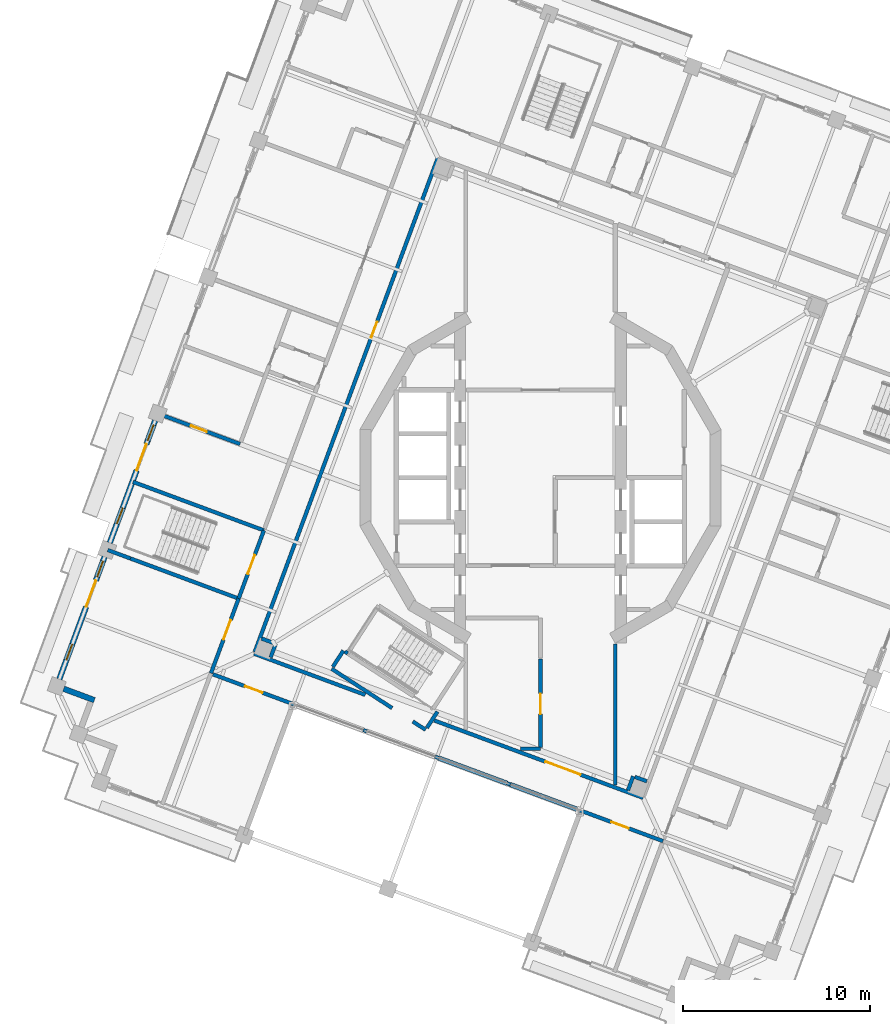
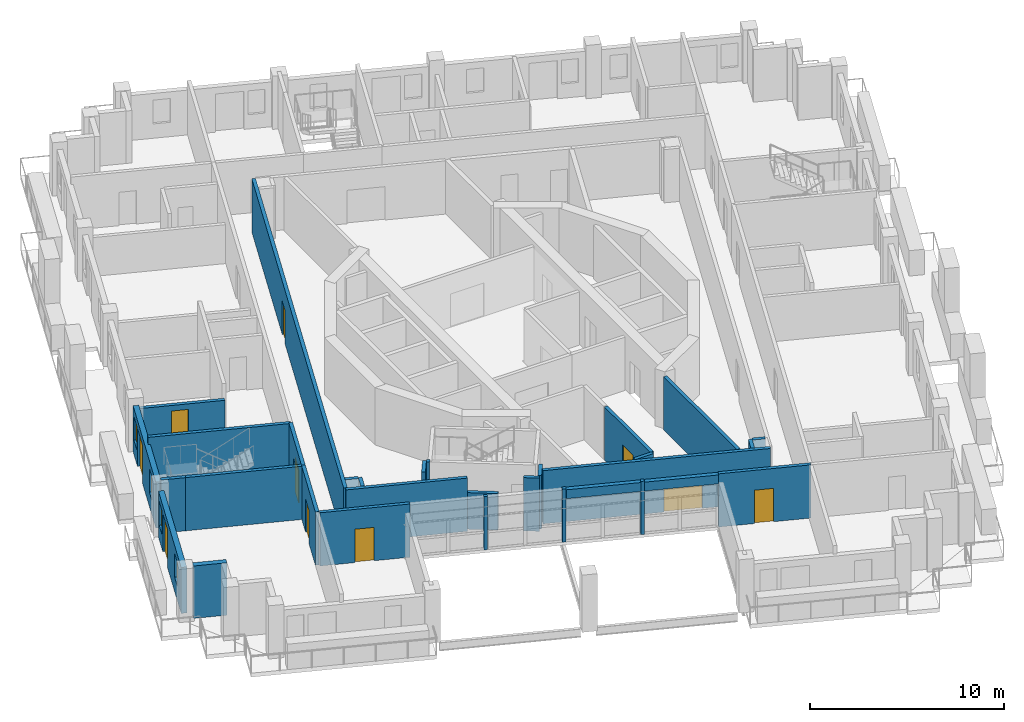
# One storey, part 6 of 19: 31 walls, 10 doors, 4 windows, 14 openings.
"""IFC4 building model written with IfcOpenShell, lengths in metres."""

from ifc_helpers import new_model, si_unit, direction, frame, frame_2d, origin, place, context, subcontext, project, spatial, rectangle, extrude, material, layer, layer_set, type_object, element, fill, save


model = new_model("IFC4")

# Units and contexts
model_context = context("Model", 3, precision=1e-05, world=origin(), true_north=direction((0.0, 1.0)))
body_context = subcontext(model_context, "Body", "Model", "MODEL_VIEW")
ifc_project = project(units=[si_unit("LENGTHUNIT", "METRE"), si_unit("AREAUNIT", "SQUARE_METRE"), si_unit("VOLUMEUNIT", "CUBIC_METRE"), si_unit("PLANEANGLEUNIT", "RADIAN"), si_unit("MASSUNIT", "GRAM", prefix="KILO")], contexts=[model_context])

# Site, building, storey
site_placement = place(None, origin())
site = spatial("IfcSite", under=ifc_project, at=site_placement, CompositionType="ELEMENT")
building_placement = place(site_placement, origin())
building = spatial("IfcBuilding", under=site, at=building_placement, Name="Cantera Rosa Tower", CompositionType="ELEMENT")
storey_placement = place(building_placement, frame((0.0, 0.0, 324.10009765625)))
storey = spatial("IfcBuildingStorey", under=building, at=storey_placement, Name="L72", CompositionType="ELEMENT", Elevation=324.10009765625)

# Wall
ifc_material_1 = material(Name="Gypsum board partition")
ifc_layer_1 = layer(ifc_material_1, 0.199951171875)
ifc_layer_set_1 = layer_set([ifc_layer_1], Name="CORRIDOR WALL 200 H2300")
wall_type_1 = type_object("IfcWallType", Name="CORRIDOR WALL 200 H2300", PredefinedType="PARTITIONING", material=ifc_layer_set_1)
wall_1_placement = place(storey_placement, frame((-11.177490234375, -10.216552734375, 0.0), z_axis=(0.0, 0.0, 1.0), x_axis=(0.83867589464, -0.544630832537, 0.0)))
element("IfcWall", 1, at=wall_1_placement, inside=storey, type_object=wall_type_1, Name="CORRIDOR WALL L72-021", PredefinedType="PARTITIONING", context=body_context, shape_type="SweptSolid", body=[
    extrude(rectangle(XDim=3.864990234375, YDim=0.199951171875, at=frame_2d((1.9326171875, 0.0))), origin(), (0.0, 0.0, 1.0), 2.2998046875),
])

# Wall, opening, door
ifc_material_2 = material(Name="Gypsum board partition")
ifc_layer_2 = layer(ifc_material_2, 0.199951171875)
ifc_layer_set_2 = layer_set([ifc_layer_2], Name="CORRIDOR WALL 200 H3350")
wall_type_2 = type_object("IfcWallType", Name="CORRIDOR WALL 200 H3350", PredefinedType="PARTITIONING", material=ifc_layer_set_2)
wall_2_placement = place(storey_placement, frame((-17.52587890625, -10.515380859375, 0.0), z_axis=(0.0, 0.0, 1.0), x_axis=(0.937697424196, -0.347452933009, 0.0)))
wall_2 = element("IfcWall", 2, at=wall_2_placement, inside=storey, type_object=wall_type_2, Name="CORRIDOR WALL L72-003", PredefinedType="PARTITIONING", context=body_context, shape_type="SweptSolid", body=[
    extrude(rectangle(XDim=4.705078125, YDim=0.199951171875, at=frame_2d((2.3525390625, 0.0))), origin(), (0.0, 0.0, 1.0), 3.349853515625),
])
opening_1_placement = place(wall_2_placement, frame((1.830078125, 0.0, 0.0)))
opening_1 = element("IfcOpeningElement", 3, at=opening_1_placement, cuts=wall_2, Name="Opening L72-037", PredefinedType="OPENING", context=body_context, shape_type="SweptSolid", body=[
    extrude(rectangle(XDim=1.0, YDim=2.10009765625, at=frame_2d((0.5, 1.050048828125))), frame((0.0, 0.10986328125, 0.0), z_axis=(0.0, -1.0, 0.0), x_axis=(1.0, 0.0, 0.0)), (0.0, 0.0, 1.0), 0.219970703125),
])
ifc_material_3 = material(Name="Timber door leaf", Category="wood")
door_type_1 = type_object("IfcDoorType", Name="ROOM DOOR 1000x2100", OperationType="NOTDEFINED", PredefinedType="DOOR", material=ifc_material_3)
door_1_placement = place(opening_1_placement, origin())
door_1 = element("IfcDoor", 4, at=door_1_placement, inside=storey, type_object=door_type_1, Name="DOOR L72-037", OperationType="NOTDEFINED", OverallHeight=2.10009765625, OverallWidth=1.0, PredefinedType="DOOR", context=body_context, shape_type="SweptSolid", body=[
    extrude(rectangle(XDim=1.0, YDim=2.10009765625, at=frame_2d((0.5, 1.050048828125))), frame((0.0, 0.02490234375, 0.0), z_axis=(0.0, -1.0, 0.0), x_axis=(1.0, 0.0, 0.0)), (0.0, 0.0, 1.0), 0.050048828125),
])
fill(opening_1, door_1)

# Walls
wall_3_placement = place(storey_placement, frame((-9.477783203125, -13.497802734375, 0.0), z_axis=(0.0, 0.0, 1.0), x_axis=(0.937718390857, -0.347396343458, 0.0)))
element("IfcWall", 5, at=wall_3_placement, inside=storey, type_object=wall_type_2, Name="CORRIDOR WALL L72-004", PredefinedType="PARTITIONING", context=body_context, shape_type="SweptSolid", body=[
    extrude(rectangle(XDim=0.19384765625, YDim=0.199951171875, at=frame_2d((0.096923828125, 0.0))), origin(), (0.0, 0.0, 1.0), 3.349853515625),
])
wall_4_placement = place(storey_placement, frame((-5.638916015625, -14.92041015625, 0.0), z_axis=(0.0, 0.0, 1.0), x_axis=(0.937734459507, -0.347352966669, 0.0)))
element("IfcWall", 6, at=wall_4_placement, inside=storey, type_object=wall_type_2, Name="CORRIDOR WALL L72-005", PredefinedType="PARTITIONING", context=body_context, shape_type="SweptSolid", body=[
    extrude(rectangle(XDim=0.2060546875, YDim=0.199951171875, at=frame_2d((0.10302734375, 0.0))), origin(), (0.0, 0.0, 1.0), 3.349853515625),
])
wall_5_placement = place(storey_placement, frame((-1.788818359375, -16.34716796875, 0.0), z_axis=(0.0, 0.0, 1.0), x_axis=(0.937718390857, -0.347396343458, 0.0)))
element("IfcWall", 7, at=wall_5_placement, inside=storey, type_object=wall_type_2, Name="CORRIDOR WALL L72-006", PredefinedType="PARTITIONING", context=body_context, shape_type="SweptSolid", body=[
    extrude(rectangle(XDim=0.19384765625, YDim=0.199951171875, at=frame_2d((0.096923828125, 0.0))), origin(), (0.0, 0.0, 1.0), 3.349853515625),
])

# Wall, opening, door
wall_6_placement = place(storey_placement, frame((2.029541015625, -17.761962890625, 0.0), z_axis=(0.0, 0.0, 1.0), x_axis=(0.937671830351, -0.34752199724, 0.0)))
wall_6 = element("IfcWall", 8, at=wall_6_placement, inside=storey, type_object=wall_type_2, Name="CORRIDOR WALL L72-007", PredefinedType="PARTITIONING", context=body_context, shape_type="SweptSolid", body=[
    extrude(rectangle(XDim=4.824951171875, YDim=0.199951171875, at=frame_2d((2.41259765625, 0.0))), origin(), (0.0, 0.0, 1.0), 3.349853515625),
])
opening_2_placement = place(wall_6_placement, frame((1.875, 0.0, 0.0)))
opening_2 = element("IfcOpeningElement", 9, at=opening_2_placement, cuts=wall_6, Name="Opening L72-038", PredefinedType="OPENING", context=body_context, shape_type="SweptSolid", body=[
    extrude(rectangle(XDim=1.0, YDim=2.10009765625, at=frame_2d((0.5, 1.050048828125))), frame((0.0, 0.10986328125, 0.0), z_axis=(0.0, -1.0, 0.0), x_axis=(1.0, 0.0, 0.0)), (0.0, 0.0, 1.0), 0.219970703125),
])
door_2_placement = place(opening_2_placement, origin())
door_2 = element("IfcDoor", 10, at=door_2_placement, inside=storey, type_object=door_type_1, Name="DOOR L72-038", OperationType="NOTDEFINED", OverallHeight=2.10009765625, OverallWidth=1.0, PredefinedType="DOOR", context=body_context, shape_type="SweptSolid", body=[
    extrude(rectangle(XDim=1.0, YDim=2.10009765625, at=frame_2d((0.5, 1.050048828125))), frame((0.0, 0.02490234375, 0.0), z_axis=(0.0, -1.0, 0.0), x_axis=(1.0, 0.0, 0.0)), (0.0, 0.0, 1.0), 0.050048828125),
])
fill(opening_2, door_2)

wall_7_placement = place(storey_placement, frame((-16.1513671875, -6.460205078125, 0.0), z_axis=(0.0, 0.0, 1.0), x_axis=(-0.347465539693, -0.937692752838, 0.0)))
wall_7 = element("IfcWall", 11, at=wall_7_placement, inside=storey, type_object=wall_type_2, Name="CORRIDOR WALL L72-008", PredefinedType="PARTITIONING", context=body_context, shape_type="SweptSolid", body=[
    extrude(rectangle(XDim=4.260009765625, YDim=0.199951171875, at=frame_2d((2.1298828125, 0.0))), origin(), (0.0, 0.0, 1.0), 3.349853515625),
])
opening_3_placement = place(wall_7_placement, frame((1.22998046875, 0.0, 0.0)))
opening_3 = element("IfcOpeningElement", 12, at=opening_3_placement, cuts=wall_7, Name="Opening L72-036", PredefinedType="OPENING", context=body_context, shape_type="SweptSolid", body=[
    extrude(rectangle(XDim=1.10009765625, YDim=2.10009765625, at=frame_2d((0.550048828125, 1.050048828125))), frame((0.0, 0.10986328125, 0.0), z_axis=(0.0, -1.0, 0.0), x_axis=(1.0, 0.0, 0.0)), (0.0, 0.0, 1.0), 0.219970703125),
])
ifc_material_4 = material(Name="Timber door leaf", Category="wood")
door_type_2 = type_object("IfcDoorType", Name="ROOM DOOR 1100x2100", OperationType="NOTDEFINED", PredefinedType="DOOR", material=ifc_material_4)
door_3_placement = place(opening_3_placement, origin())
door_3 = element("IfcDoor", 13, at=door_3_placement, inside=storey, type_object=door_type_2, Name="DOOR L72-036", OperationType="NOTDEFINED", OverallHeight=2.10009765625, OverallWidth=1.10009765625, PredefinedType="DOOR", context=body_context, shape_type="SweptSolid", body=[
    extrude(rectangle(XDim=1.10009765625, YDim=2.10009765625, at=frame_2d((0.550048828125, 1.050048828125))), frame((0.0, 0.02490234375, 0.0), z_axis=(0.0, -1.0, 0.0), x_axis=(1.0, 0.0, 0.0)), (0.0, 0.0, 1.0), 0.050048828125),
])
fill(opening_3, door_3)

# Walls
wall_8_placement = place(storey_placement, frame((-15.3251953125, -9.4111328125, 0.0), z_axis=(0.0, 0.0, 1.0), x_axis=(0.937682798528, -0.347492401852, 0.0)))
element("IfcWall", 14, at=wall_8_placement, inside=storey, type_object=wall_type_2, Name="CORRIDOR WALL L72-011", PredefinedType="PARTITIONING", context=body_context, shape_type="SweptSolid", body=[
    extrude(rectangle(XDim=6.341552734375, YDim=0.199951171875, at=frame_2d((3.1708984375, 0.0))), origin(), (0.0, 0.0, 1.0), 3.349853515625),
])
wall_9_placement = place(storey_placement, frame((-6.83251953125, -13.038330078125, 0.0), z_axis=(0.0, 0.0, 1.0), x_axis=(0.838593374038, -0.54475788477, 0.0)))
element("IfcWall", 15, at=wall_9_placement, inside=storey, type_object=wall_type_2, Name="CORRIDOR WALL L72-022", PredefinedType="PARTITIONING", context=body_context, shape_type="SweptSolid", body=[
    extrude(rectangle(XDim=0.8193359375, YDim=0.199951171875, at=frame_2d((0.40966796875, 0.0))), origin(), (0.0, 0.0, 1.0), 3.349853515625),
])
wall_10_placement = place(storey_placement, frame((-10.546630859375, -9.2451171875, 0.0), z_axis=(0.0, 0.0, 1.0), x_axis=(-0.544732150362, -0.838610090782, 0.0)))
element("IfcWall", 16, at=wall_10_placement, inside=storey, type_object=wall_type_2, Name="CORRIDOR WALL L72-025", PredefinedType="PARTITIONING", context=body_context, shape_type="SweptSolid", body=[
    extrude(rectangle(XDim=1.038330078125, YDim=0.199951171875, at=frame_2d((0.51904296875, 0.0))), origin(), (0.0, 0.0, 1.0), 3.349853515625),
])
wall_11_placement = place(storey_placement, frame((-10.31591796875, -9.394775390625, 0.0), z_axis=(0.0, 0.0, 1.0), x_axis=(-0.838857934668, 0.544350406856, 0.0)))
element("IfcWall", 17, at=wall_11_placement, inside=storey, type_object=wall_type_2, Name="CORRIDOR WALL L72-026", PredefinedType="PARTITIONING", context=body_context, shape_type="SweptSolid", body=[
    extrude(rectangle(XDim=0.1748046875, YDim=0.199951171875, at=frame_2d((0.08740234375, 0.0))), origin(), (0.0, 0.0, 1.0), 3.349853515625),
])
wall_12_placement = place(storey_placement, frame((-6.080078125, -13.3837890625, 0.0), z_axis=(0.0, 0.0, 1.0), x_axis=(0.544566778899, 0.838717487191, 0.0)))
element("IfcWall", 18, at=wall_12_placement, inside=storey, type_object=wall_type_2, Name="CORRIDOR WALL L72-040", PredefinedType="PARTITIONING", context=body_context, shape_type="SweptSolid", body=[
    extrude(rectangle(XDim=1.038330078125, YDim=0.199951171875, at=frame_2d((0.51904296875, 0.0))), origin(), (0.0, 0.0, 1.0), 3.349853515625),
])

# Wall, opening, door
wall_13_placement = place(storey_placement, frame((-5.681396484375, -12.98486328125, 0.0), z_axis=(0.0, 0.0, 1.0), x_axis=(0.937686213924, -0.347483185516, 0.0)))
wall_13 = element("IfcWall", 19, at=wall_13_placement, inside=storey, type_object=wall_type_2, Name="CORRIDOR WALL L72-044", PredefinedType="PARTITIONING", context=body_context, shape_type="SweptSolid", body=[
    extrude(rectangle(XDim=11.915283203125, YDim=0.199951171875, at=frame_2d((5.95751953125, 0.0))), origin(), (0.0, 0.0, 1.0), 3.349853515625),
])
opening_4_placement = place(wall_13_placement, frame((6.342529296875, 0.0, 0.0)))
opening_4 = element("IfcOpeningElement", 20, at=opening_4_placement, cuts=wall_13, Name="Opening L72-011", PredefinedType="OPENING", context=body_context, shape_type="SweptSolid", body=[
    extrude(rectangle(XDim=2.0, YDim=2.10009765625, at=frame_2d((1.0, 1.050048828125))), frame((0.0, 0.10986328125, 0.0), z_axis=(0.0, -1.0, 0.0), x_axis=(1.0, 0.0, 0.0)), (0.0, 0.0, 1.0), 0.219970703125),
])
ifc_material_5 = material(Name="Steel S355J2 (EN 10025-2)", Category="steel")
door_type_3 = type_object("IfcDoorType", Name="LOBBY SCREEN DOOR 2000x2100", OperationType="NOTDEFINED", PredefinedType="DOOR", material=ifc_material_5)
door_4_placement = place(opening_4_placement, origin())
door_4 = element("IfcDoor", 21, at=door_4_placement, inside=storey, type_object=door_type_3, Name="DOOR L72-011", OperationType="NOTDEFINED", OverallHeight=2.10009765625, OverallWidth=2.0, PredefinedType="DOOR", context=body_context, shape_type="SweptSolid", body=[
    extrude(rectangle(XDim=2.0, YDim=2.10009765625, at=frame_2d((1.0, 1.050048828125))), frame((0.0, 0.02490234375, 0.0), z_axis=(0.0, -1.0, 0.0), x_axis=(1.0, 0.0, 0.0)), (0.0, 0.0, 1.0), 0.050048828125),
])
fill(opening_4, door_4)

wall_14_placement = place(storey_placement, frame((-5.491455078125, 17.125244140625, 0.0), z_axis=(0.0, 0.0, 1.0), x_axis=(-0.347478457093, -0.937687966147, 0.0)))
wall_14 = element("IfcWall", 22, at=wall_14_placement, inside=storey, type_object=wall_type_2, Name="CORRIDOR WALL L72-045", PredefinedType="PARTITIONING", context=body_context, shape_type="SweptSolid", body=[
    extrude(rectangle(XDim=28.19970703125, YDim=0.199951171875, at=frame_2d((14.099853515625, 0.0))), origin(), (0.0, 0.0, 1.0), 3.349853515625),
])
opening_5_placement = place(wall_14_placement, frame((9.35498046875, 0.0, 0.0)))
opening_5 = element("IfcOpeningElement", 23, at=opening_5_placement, cuts=wall_14, Name="Opening L72-006", PredefinedType="OPENING", context=body_context, shape_type="SweptSolid", body=[
    extrude(rectangle(XDim=0.89990234375, YDim=2.10009765625, at=frame_2d((0.449951171875, 1.050048828125))), frame((0.0, 0.10986328125, 0.0), z_axis=(0.0, -1.0, 0.0), x_axis=(1.0, 0.0, 0.0)), (0.0, 0.0, 1.0), 0.219970703125),
])
ifc_material_6 = material(Name="Timber door leaf", Category="wood")
door_type_4 = type_object("IfcDoorType", Name="SERVICE DOOR 900x2100", OperationType="NOTDEFINED", PredefinedType="DOOR", material=ifc_material_6)
door_5_placement = place(opening_5_placement, origin())
door_5 = element("IfcDoor", 24, at=door_5_placement, inside=storey, type_object=door_type_4, Name="DOOR L72-006", OperationType="NOTDEFINED", OverallHeight=2.10009765625, OverallWidth=0.89990234375, PredefinedType="DOOR", context=body_context, shape_type="SweptSolid", body=[
    extrude(rectangle(XDim=0.89990234375, YDim=2.10009765625, at=frame_2d((0.449951171875, 1.050048828125))), frame((0.0, 0.02490234375, 0.0), z_axis=(0.0, -1.0, 0.0), x_axis=(1.0, 0.0, 0.0)), (0.0, 0.0, 1.0), 0.050048828125),
])
fill(opening_5, door_5)

# Wall
wall_15_placement = place(storey_placement, frame((-1.072998046875, -14.5, 0.0), z_axis=(0.0, 0.0, 1.0), x_axis=(1.0, 0.0, 0.0)))
element("IfcWall", 25, at=wall_15_placement, inside=storey, type_object=wall_type_2, Name="CORRIDOR WALL L72-056", PredefinedType="PARTITIONING", context=body_context, shape_type="SweptSolid", body=[
    extrude(rectangle(XDim=1.072998046875, YDim=0.199951171875, at=frame_2d((0.53662109375, 0.0))), origin(), (0.0, 0.0, 1.0), 3.349853515625),
])

# Wall, opening, door
wall_16_placement = place(storey_placement, frame((0.0, -14.419921875, 0.0), z_axis=(0.0, 0.0, 1.0), x_axis=(0.0, 1.0, 0.0)))
wall_16 = element("IfcWall", 26, at=wall_16_placement, inside=storey, type_object=wall_type_2, Name="CORRIDOR WALL L72-058", PredefinedType="PARTITIONING", context=body_context, shape_type="SweptSolid", body=[
    extrude(rectangle(XDim=4.730712890625, YDim=0.199951171875, at=frame_2d((2.365234375, 0.0))), origin(), (0.0, 0.0, 1.0), 3.349853515625),
])
opening_6_placement = place(wall_16_placement, frame((1.775390625, 0.0, 0.0)))
opening_6 = element("IfcOpeningElement", 27, at=opening_6_placement, cuts=wall_16, Name="Opening L72-014", PredefinedType="OPENING", context=body_context, shape_type="SweptSolid", body=[
    extrude(rectangle(XDim=1.10009765625, YDim=2.10009765625, at=frame_2d((0.550048828125, 1.050048828125))), frame((0.0, 0.10986328125, 0.0), z_axis=(0.0, -1.0, 0.0), x_axis=(1.0, 0.0, 0.0)), (0.0, 0.0, 1.0), 0.219970703125),
])
door_6_placement = place(opening_6_placement, origin())
door_6 = element("IfcDoor", 28, at=door_6_placement, inside=storey, type_object=door_type_2, Name="DOOR L72-014", OperationType="NOTDEFINED", OverallHeight=2.10009765625, OverallWidth=1.10009765625, PredefinedType="DOOR", context=body_context, shape_type="SweptSolid", body=[
    extrude(rectangle(XDim=1.10009765625, YDim=2.10009765625, at=frame_2d((0.550048828125, 1.050048828125))), frame((0.0, 0.02490234375, 0.0), z_axis=(0.0, -1.0, 0.0), x_axis=(1.0, 0.0, 0.0)), (0.0, 0.0, 1.0), 0.050048828125),
])
fill(opening_6, door_6)

# Walls
wall_17_placement = place(storey_placement, frame((4.0, -16.4326171875, 0.0), z_axis=(0.0, 0.0, 1.0), x_axis=(0.0, 1.0, 0.0)))
element("IfcWall", 29, at=wall_17_placement, inside=storey, type_object=wall_type_2, Name="CORRIDOR WALL L72-069", PredefinedType="PARTITIONING", context=body_context, shape_type="SweptSolid", body=[
    extrude(rectangle(XDim=7.5537109375, YDim=0.199951171875, at=frame_2d((3.77685546875, 0.0))), origin(), (0.0, 0.0, 1.0), 3.349853515625),
])
ifc_material_7 = material(Name="Hollow clay masonry with cantera stone cladding", Category="masonry")
ifc_layer_3 = layer(ifc_material_7, 0.300048828125)
ifc_layer_set_3 = layer_set([ifc_layer_3], Name="EW-LOGGIA 300")
wall_type_3 = type_object("IfcWallType", Name="EW-LOGGIA 300", PredefinedType="SOLIDWALL", material=ifc_layer_set_3)
wall_18_placement = place(storey_placement, frame((-25.51220703125, -11.288330078125, 0.0), z_axis=(0.0, 0.0, 1.0), x_axis=(0.937669639538, -0.34752790836, 0.0)))
element("IfcWall", 30, at=wall_18_placement, inside=storey, type_object=wall_type_3, Name="EN-L72-W12a", PredefinedType="SOLIDWALL", context=body_context, shape_type="SweptSolid", body=[
    extrude(rectangle(XDim=1.75, YDim=0.300048828125, at=frame_2d((0.875, 0.0))), origin(), (0.0, 0.0, 1.0), 3.2998046875),
])

# Wall, openings, windows, door
ifc_material_8 = material(Name="Hollow clay masonry with cantera stone cladding", Category="masonry")
ifc_layer_4 = layer(ifc_material_8, 0.300048828125)
ifc_layer_set_4 = layer_set([ifc_layer_4], Name="EW-LOGGIA 300 H2890")
wall_type_4 = type_object("IfcWallType", Name="EW-LOGGIA 300 H2890", PredefinedType="SOLIDWALL", material=ifc_layer_set_4)
wall_19_placement = place(storey_placement, frame((-20.61962890625, 3.06591796875, 0.0), z_axis=(0.0, 0.0, 1.0), x_axis=(-0.347471562124, -0.937690521182, 0.0)))
wall_19 = element("IfcWall", 31, at=wall_19_placement, inside=storey, type_object=wall_type_4, Name="EN-L72-W10", PredefinedType="SOLIDWALL", context=body_context, shape_type="SweptSolid", body=[
    extrude(rectangle(XDim=6.979736328125, YDim=0.300048828125, at=frame_2d((3.48974609375, 0.0))), origin(), (0.0, 0.0, 1.0), 2.889892578125),
])
opening_7_placement = place(wall_19_placement, frame((0.2451171875, 0.0, 0.89990234375)))
opening_7 = element("IfcOpeningElement", 32, at=opening_7_placement, cuts=wall_19, Name="Opening L72-W22", PredefinedType="OPENING", context=body_context, shape_type="SweptSolid", body=[
    extrude(rectangle(XDim=0.89990234375, YDim=1.5, at=frame_2d((0.449951171875, 0.75))), frame((0.0, 0.159912109375, 0.0), z_axis=(0.0, -1.0, 0.0), x_axis=(1.0, 0.0, 0.0)), (0.0, 0.0, 1.0), 0.320068359375),
])
opening_8_placement = place(wall_19_placement, frame((1.344970703125, 0.0, 0.0)))
opening_8 = element("IfcOpeningElement", 33, at=opening_8_placement, cuts=wall_19, Name="Opening L72-TD23", PredefinedType="OPENING", context=body_context, shape_type="SweptSolid", body=[
    extrude(rectangle(XDim=1.5, YDim=2.39990234375, at=frame_2d((0.75, 1.199951171875))), frame((0.0, 0.159912109375, 0.0), z_axis=(0.0, -1.0, 0.0), x_axis=(1.0, 0.0, 0.0)), (0.0, 0.0, 1.0), 0.320068359375),
])
opening_9_placement = place(wall_19_placement, frame((4.985107421875, 0.0, 0.89990234375)))
opening_9 = element("IfcOpeningElement", 34, at=opening_9_placement, cuts=wall_19, Name="Opening L72-W24", PredefinedType="OPENING", context=body_context, shape_type="SweptSolid", body=[
    extrude(rectangle(XDim=0.89990234375, YDim=1.5, at=frame_2d((0.449951171875, 0.75))), frame((0.0, 0.159912109375, 0.0), z_axis=(0.0, -1.0, 0.0), x_axis=(1.0, 0.0, 0.0)), (0.0, 0.0, 1.0), 0.320068359375),
])
ifc_material_9 = material(Name="Aluminium frame with clear glass", Category="aluminium")
window_type = type_object("IfcWindowType", Name="Residential window 900x1500", PartitioningType="SINGLE_PANEL", PredefinedType="WINDOW", material=ifc_material_9)
window_1_placement = place(opening_7_placement, origin())
window_1 = element("IfcWindow", 35, at=window_1_placement, inside=storey, type_object=window_type, Name="WINDOW L72-W22", OverallHeight=1.5, OverallWidth=0.89990234375, PartitioningType="SINGLE_PANEL", PredefinedType="WINDOW", context=body_context, shape_type="SweptSolid", body=[
    extrude(rectangle(XDim=0.89990234375, YDim=1.5, at=frame_2d((0.449951171875, 0.75))), frame((0.0, 0.030029296875, 0.0), z_axis=(0.0, -1.0, 0.0), x_axis=(1.0, 0.0, 0.0)), (0.0, 0.0, 1.0), 0.06005859375),
])
fill(opening_7, window_1)
window_2_placement = place(opening_9_placement, origin())
window_2 = element("IfcWindow", 36, at=window_2_placement, inside=storey, type_object=window_type, Name="WINDOW L72-W24", OverallHeight=1.5, OverallWidth=0.89990234375, PartitioningType="SINGLE_PANEL", PredefinedType="WINDOW", context=body_context, shape_type="SweptSolid", body=[
    extrude(rectangle(XDim=0.89990234375, YDim=1.5, at=frame_2d((0.449951171875, 0.75))), frame((0.0, 0.030029296875, 0.0), z_axis=(0.0, -1.0, 0.0), x_axis=(1.0, 0.0, 0.0)), (0.0, 0.0, 1.0), 0.06005859375),
])
fill(opening_9, window_2)
ifc_material_10 = material(Name="Aluminium frame with clear glass", Category="aluminium")
door_type_5 = type_object("IfcDoorType", Name="TD-R 1500x2400", OperationType="NOTDEFINED", PredefinedType="DOOR", material=ifc_material_10)
door_7_placement = place(opening_8_placement, origin())
door_7 = element("IfcDoor", 37, at=door_7_placement, inside=storey, type_object=door_type_5, Name="LOGGIA DOOR L72-TD23", OperationType="SLIDING_TO_LEFT", OverallHeight=2.39990234375, OverallWidth=1.5, PredefinedType="DOOR", context=body_context, shape_type="SweptSolid", body=[
    extrude(rectangle(XDim=1.5, YDim=2.39990234375, at=frame_2d((0.75, 1.199951171875))), frame((0.0, 0.02490234375, 0.0), z_axis=(0.0, -1.0, 0.0), x_axis=(1.0, 0.0, 0.0)), (0.0, 0.0, 1.0), 0.050048828125),
])
fill(opening_8, door_7)

wall_20_placement = place(storey_placement, frame((-23.322998046875, -4.229248046875, 0.0), z_axis=(0.0, 0.0, 1.0), x_axis=(-0.347460165909, -0.937694744097, 0.0)))
wall_20 = element("IfcWall", 38, at=wall_20_placement, inside=storey, type_object=wall_type_4, Name="EN-L72-W11", PredefinedType="SOLIDWALL", context=body_context, shape_type="SweptSolid", body=[
    extrude(rectangle(XDim=6.97998046875, YDim=0.300048828125, at=frame_2d((3.489990234375, 0.0))), origin(), (0.0, 0.0, 1.0), 2.889892578125),
])
opening_10_placement = place(wall_20_placement, frame((0.2451171875, 0.0, 0.89990234375)))
opening_10 = element("IfcOpeningElement", 39, at=opening_10_placement, cuts=wall_20, Name="Opening L72-W25", PredefinedType="OPENING", context=body_context, shape_type="SweptSolid", body=[
    extrude(rectangle(XDim=0.89990234375, YDim=1.5, at=frame_2d((0.449951171875, 0.75))), frame((0.0, 0.159912109375, 0.0), z_axis=(0.0, -1.0, 0.0), x_axis=(1.0, 0.0, 0.0)), (0.0, 0.0, 1.0), 0.320068359375),
])
opening_11_placement = place(wall_20_placement, frame((1.344970703125, 0.0, 0.0)))
opening_11 = element("IfcOpeningElement", 40, at=opening_11_placement, cuts=wall_20, Name="Opening L72-TD26", PredefinedType="OPENING", context=body_context, shape_type="SweptSolid", body=[
    extrude(rectangle(XDim=1.5, YDim=2.39990234375, at=frame_2d((0.75, 1.199951171875))), frame((0.0, 0.159912109375, 0.0), z_axis=(0.0, -1.0, 0.0), x_axis=(1.0, 0.0, 0.0)), (0.0, 0.0, 1.0), 0.320068359375),
])
opening_12_placement = place(wall_20_placement, frame((4.985107421875, 0.0, 0.89990234375)))
opening_12 = element("IfcOpeningElement", 41, at=opening_12_placement, cuts=wall_20, Name="Opening L72-W27", PredefinedType="OPENING", context=body_context, shape_type="SweptSolid", body=[
    extrude(rectangle(XDim=0.89990234375, YDim=1.5, at=frame_2d((0.449951171875, 0.75))), frame((0.0, 0.159912109375, 0.0), z_axis=(0.0, -1.0, 0.0), x_axis=(1.0, 0.0, 0.0)), (0.0, 0.0, 1.0), 0.320068359375),
])
window_3_placement = place(opening_10_placement, origin())
window_3 = element("IfcWindow", 42, at=window_3_placement, inside=storey, type_object=window_type, Name="WINDOW L72-W25", OverallHeight=1.5, OverallWidth=0.89990234375, PartitioningType="SINGLE_PANEL", PredefinedType="WINDOW", context=body_context, shape_type="SweptSolid", body=[
    extrude(rectangle(XDim=0.89990234375, YDim=1.5, at=frame_2d((0.449951171875, 0.75))), frame((0.0, 0.030029296875, 0.0), z_axis=(0.0, -1.0, 0.0), x_axis=(1.0, 0.0, 0.0)), (0.0, 0.0, 1.0), 0.06005859375),
])
fill(opening_10, window_3)
window_4_placement = place(opening_12_placement, origin())
window_4 = element("IfcWindow", 43, at=window_4_placement, inside=storey, type_object=window_type, Name="WINDOW L72-W27", OverallHeight=1.5, OverallWidth=0.89990234375, PartitioningType="SINGLE_PANEL", PredefinedType="WINDOW", context=body_context, shape_type="SweptSolid", body=[
    extrude(rectangle(XDim=0.89990234375, YDim=1.5, at=frame_2d((0.449951171875, 0.75))), frame((0.0, 0.030029296875, 0.0), z_axis=(0.0, -1.0, 0.0), x_axis=(1.0, 0.0, 0.0)), (0.0, 0.0, 1.0), 0.06005859375),
])
fill(opening_12, window_4)
door_8_placement = place(opening_11_placement, origin())
door_8 = element("IfcDoor", 44, at=door_8_placement, inside=storey, type_object=door_type_5, Name="LOGGIA DOOR L72-TD26", OperationType="SLIDING_TO_LEFT", OverallHeight=2.39990234375, OverallWidth=1.5, PredefinedType="DOOR", context=body_context, shape_type="SweptSolid", body=[
    extrude(rectangle(XDim=1.5, YDim=2.39990234375, at=frame_2d((0.75, 1.199951171875))), frame((0.0, 0.02490234375, 0.0), z_axis=(0.0, -1.0, 0.0), x_axis=(1.0, 0.0, 0.0)), (0.0, 0.0, 1.0), 0.050048828125),
])
fill(opening_11, door_8)

# Walls
ifc_material_11 = material(Name="Hollow clay masonry with cantera stone cladding", Category="masonry")
ifc_layer_5 = layer(ifc_material_11, 0.25)
ifc_layer_set_5 = layer_set([ifc_layer_5], Name="EW-POCKET REAR 250")
wall_type_5 = type_object("IfcWallType", Name="EW-POCKET REAR 250", PredefinedType="SOLIDWALL", material=ifc_layer_set_5)
wall_21_placement = place(storey_placement, frame((-5.44580078125, -14.991943359375, 2.741943359375), z_axis=(0.0, 0.0, 1.0), x_axis=(0.937683048093, -0.347491728417, 0.0)))
element("IfcWall", 45, at=wall_21_placement, inside=storey, type_object=wall_type_5, Name="POCKET SPANDREL L72-3", PredefinedType="SOLIDWALL", context=body_context, shape_type="SweptSolid", body=[
    extrude(rectangle(XDim=3.89990234375, YDim=0.25, at=frame_2d((1.949951171875, 0.0))), origin(), (0.0, 0.0, 1.0), 0.557861328125),
])
wall_22_placement = place(storey_placement, frame((-1.60693359375, -16.41455078125, 2.741943359375), z_axis=(0.0, 0.0, 1.0), x_axis=(0.937700909769, -0.347443526084, 0.0)))
element("IfcWall", 46, at=wall_22_placement, inside=storey, type_object=wall_type_5, Name="POCKET SPANDREL L72-4", PredefinedType="SOLIDWALL", context=body_context, shape_type="SweptSolid", body=[
    extrude(rectangle(XDim=3.878173828125, YDim=0.25, at=frame_2d((1.93896484375, 0.0))), origin(), (0.0, 0.0, 1.0), 0.557861328125),
])

# Wall, opening, door
ifc_material_12 = material(Name="Gypsum board partition")
ifc_layer_6 = layer(ifc_material_12, 0.199951171875)
ifc_layer_set_6 = layer_set([ifc_layer_6], Name="PARTITION 200 H2450")
wall_type_6 = type_object("IfcWallType", Name="PARTITION 200 H2450", PredefinedType="PARTITIONING", material=ifc_layer_set_6)
wall_23_placement = place(storey_placement, frame((-16.073486328125, 1.807861328125, 0.0), z_axis=(0.0, 0.0, 1.0), x_axis=(-0.937680003703, 0.347499943388, 0.0)))
wall_23 = element("IfcWall", 47, at=wall_23_placement, inside=storey, type_object=wall_type_6, Name="PARTITION L72-010", PredefinedType="PARTITIONING", context=body_context, shape_type="SweptSolid", body=[
    extrude(rectangle(XDim=4.669921875, YDim=0.199951171875, at=frame_2d((2.3349609375, 0.0))), origin(), (0.0, 0.0, 1.0), 2.449951171875),
])
opening_13_placement = place(wall_23_placement, frame((1.89990234375, 0.0, 0.0)))
opening_13 = element("IfcOpeningElement", 48, at=opening_13_placement, cuts=wall_23, Name="Opening L72-032", PredefinedType="OPENING", context=body_context, shape_type="SweptSolid", body=[
    extrude(rectangle(XDim=0.89990234375, YDim=2.10009765625, at=frame_2d((0.449951171875, 1.050048828125))), frame((0.0, 0.10986328125, 0.0), z_axis=(0.0, -1.0, 0.0), x_axis=(1.0, 0.0, 0.0)), (0.0, 0.0, 1.0), 0.219970703125),
])
ifc_material_13 = material(Name="Timber door leaf", Category="wood")
door_type_6 = type_object("IfcDoorType", Name="ROOM DOOR 900x2100", OperationType="NOTDEFINED", PredefinedType="DOOR", material=ifc_material_13)
door_9_placement = place(opening_13_placement, origin())
door_9 = element("IfcDoor", 49, at=door_9_placement, inside=storey, type_object=door_type_6, Name="DOOR L72-032", OperationType="NOTDEFINED", OverallHeight=2.10009765625, OverallWidth=0.89990234375, PredefinedType="DOOR", context=body_context, shape_type="SweptSolid", body=[
    extrude(rectangle(XDim=0.89990234375, YDim=2.10009765625, at=frame_2d((0.449951171875, 1.050048828125))), frame((0.0, 0.02490234375, 0.0), z_axis=(0.0, -1.0, 0.0), x_axis=(1.0, 0.0, 0.0)), (0.0, 0.0, 1.0), 0.050048828125),
])
fill(opening_13, door_9)

# Walls
ifc_material_14 = material(Name="Gypsum board partition")
ifc_layer_7 = layer(ifc_material_14, 0.199951171875)
ifc_layer_set_7 = layer_set([ifc_layer_7], Name="PARTITION 200 H3350")
wall_type_7 = type_object("IfcWallType", Name="PARTITION 200 H3350", PredefinedType="PARTITIONING", material=ifc_layer_set_7)
wall_24_placement = place(storey_placement, frame((-14.439697265625, -9.611328125, 0.0), z_axis=(0.0, 0.0, 1.0), x_axis=(0.347691457596, 0.937609007164, 0.0)))
element("IfcWall", 50, at=wall_24_placement, inside=storey, type_object=wall_type_7, Name="PARTITION L72-015", PredefinedType="PARTITIONING", context=body_context, shape_type="SweptSolid", body=[
    extrude(rectangle(XDim=0.780029296875, YDim=0.199951171875, at=frame_2d((0.39013671875, 0.0))), origin(), (0.0, 0.0, 1.0), 3.349853515625),
])
wall_25_placement = place(storey_placement, frame((-14.26220703125, -8.84521484375, 0.0), z_axis=(0.0, 0.0, 1.0), x_axis=(-0.937740347131, 0.347337071678, 0.0)))
element("IfcWall", 51, at=wall_25_placement, inside=storey, type_object=wall_type_7, Name="PARTITION L72-016", PredefinedType="PARTITIONING", context=body_context, shape_type="SweptSolid", body=[
    extrude(rectangle(XDim=0.7001953125, YDim=0.199951171875, at=frame_2d((0.35009765625, 0.0))), origin(), (0.0, 0.0, 1.0), 3.349853515625),
])
wall_26_placement = place(storey_placement, frame((4.960205078125, -15.96875, 0.0), z_axis=(0.0, 0.0, 1.0), x_axis=(-0.34737400582, -0.937726665975, 0.0)))
element("IfcWall", 52, at=wall_26_placement, inside=storey, type_object=wall_type_7, Name="PARTITION L72-076", PredefinedType="PARTITIONING", context=body_context, shape_type="SweptSolid", body=[
    extrude(rectangle(XDim=0.7998046875, YDim=0.199951171875, at=frame_2d((0.39990234375, 0.0))), origin(), (0.0, 0.0, 1.0), 3.349853515625),
])
wall_27_placement = place(storey_placement, frame((5.691650390625, -16.23974609375, 0.0), z_axis=(0.0, 0.0, 1.0), x_axis=(-0.937679455874, 0.347501421626, 0.0)))
element("IfcWall", 53, at=wall_27_placement, inside=storey, type_object=wall_type_7, Name="PARTITION L72-078", PredefinedType="PARTITIONING", context=body_context, shape_type="SweptSolid", body=[
    extrude(rectangle(XDim=0.68017578125, YDim=0.199951171875, at=frame_2d((0.340087890625, 0.0))), origin(), (0.0, 0.0, 1.0), 3.349853515625),
])
ifc_material_15 = material(Name="Concrete C50/60", Category="concrete")
ifc_layer_8 = layer(ifc_material_15, 0.199951171875)
ifc_layer_set_8 = layer_set([ifc_layer_8], Name="STAIR WALL 200 H3350")
wall_type_8 = type_object("IfcWallType", Name="STAIR WALL 200 H3350", PredefinedType="SOLIDWALL", material=ifc_layer_set_8)
wall_28_placement = place(storey_placement, frame((-23.15576171875, -3.864501953125, 0.0), z_axis=(0.0, 0.0, 1.0), x_axis=(0.937642248704, -0.347601802994, 0.0)))
element("IfcWall", 54, at=wall_28_placement, inside=storey, type_object=wall_type_8, Name="STAIR WALL L72-001", PredefinedType="SOLIDWALL", context=body_context, shape_type="SweptSolid", body=[
    extrude(rectangle(XDim=1.300048828125, YDim=0.199951171875, at=frame_2d((0.64990234375, 0.0))), origin(), (0.0, 0.0, 1.0), 3.349853515625),
])

# Wall, opening, door
wall_29_placement = place(storey_placement, frame((-16.1513671875, -6.460205078125, 0.0), z_axis=(0.0, 0.0, 1.0), x_axis=(0.347516717491, 0.937673787126, 0.0)))
wall_29 = element("IfcWall", 55, at=wall_29_placement, inside=storey, type_object=wall_type_8, Name="STAIR WALL L72-009", PredefinedType="SOLIDWALL", context=body_context, shape_type="SweptSolid", body=[
    extrude(rectangle(XDim=3.889892578125, YDim=0.199951171875, at=frame_2d((1.94482421875, 0.0))), origin(), (0.0, 0.0, 1.0), 3.349853515625),
])
opening_14_placement = place(wall_29_placement, frame((1.39501953125, 0.0, 0.0)))
opening_14 = element("IfcOpeningElement", 56, at=opening_14_placement, cuts=wall_29, Name="Opening L72-003", PredefinedType="OPENING", context=body_context, shape_type="SweptSolid", body=[
    extrude(rectangle(XDim=1.10009765625, YDim=2.10009765625, at=frame_2d((0.550048828125, 1.050048828125))), frame((0.0, 0.10986328125, 0.0), z_axis=(0.0, -1.0, 0.0), x_axis=(1.0, 0.0, 0.0)), (0.0, 0.0, 1.0), 0.219970703125),
])
ifc_material_16 = material(Name="Steel S355J2 (EN 10025-2)", Category="steel")
door_type_7 = type_object("IfcDoorType", Name="STAIR DOOR 1100x2100", OperationType="NOTDEFINED", PredefinedType="DOOR", material=ifc_material_16)
door_10_placement = place(opening_14_placement, origin())
door_10 = element("IfcDoor", 57, at=door_10_placement, inside=storey, type_object=door_type_7, Name="DOOR L72-003", OperationType="NOTDEFINED", OverallHeight=2.10009765625, OverallWidth=1.10009765625, PredefinedType="DOOR", context=body_context, shape_type="SweptSolid", body=[
    extrude(rectangle(XDim=1.10009765625, YDim=2.10009765625, at=frame_2d((0.550048828125, 1.050048828125))), frame((0.0, 0.02490234375, 0.0), z_axis=(0.0, -1.0, 0.0), x_axis=(1.0, 0.0, 0.0)), (0.0, 0.0, 1.0), 0.050048828125),
])
fill(opening_14, door_10)

# Walls
wall_30_placement = place(storey_placement, frame((-14.799560546875, -2.812744140625, 0.0), z_axis=(0.0, 0.0, 1.0), x_axis=(-0.93768803379, 0.347478274555, 0.0)))
element("IfcWall", 58, at=wall_30_placement, inside=storey, type_object=wall_type_8, Name="STAIR WALL L72-013", PredefinedType="SOLIDWALL", context=body_context, shape_type="SweptSolid", body=[
    extrude(rectangle(XDim=7.47021484375, YDim=0.199951171875, at=frame_2d((3.735107421875, 0.0))), origin(), (0.0, 0.0, 1.0), 3.349853515625),
])
wall_31_placement = place(storey_placement, frame((-21.936767578125, -4.31640625, 0.0), z_axis=(0.0, 0.0, 1.0), x_axis=(0.937692901762, -0.347465137797, 0.0)))
element("IfcWall", 59, at=wall_31_placement, inside=storey, type_object=wall_type_8, Name="STAIR WALL L72-001 J", PredefinedType="SOLIDWALL", context=body_context, shape_type="SweptSolid", body=[
    extrude(rectangle(XDim=6.169921875, YDim=0.199951171875, at=frame_2d((3.0849609375, 0.0))), origin(), (0.0, 0.0, 1.0), 3.349853515625),
])

save(model, "model.ifc")
